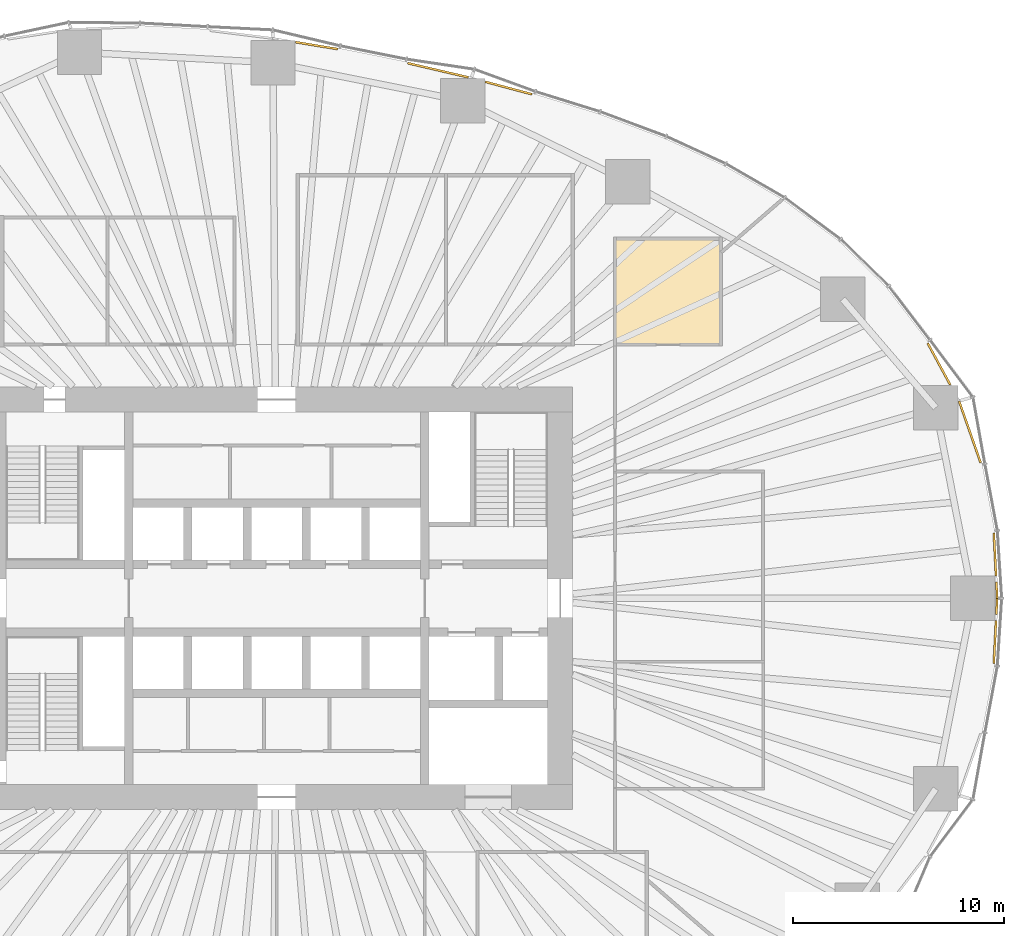
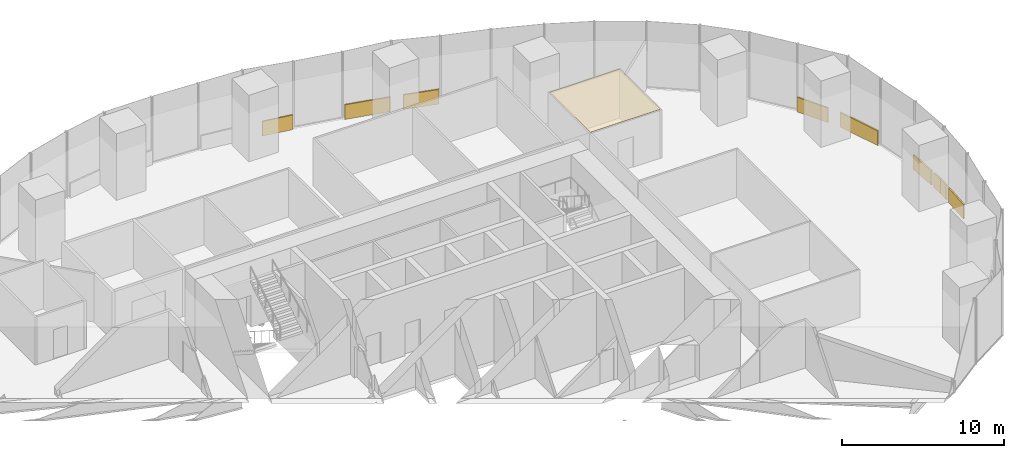
# One storey, part 20 of 20: 10 coverings.
"""IFC4 building model written with IfcOpenShell, lengths in metres."""

import ifcopenshell
import ifcopenshell.guid

model = None  # the IFC model being written
_history = None  # IfcOwnerHistory: only IFC2X3 demands one
_inside = {}  # id of a spatial element -> (the spatial element, [elements in it])
_under = {}  # id of a project, library or spatial element -> (it, [spatial elements below it])
_declared = {}  # id of a project -> (the project, [libraries it declares])
_typed = {}  # id of a type object -> (the type object, [elements of that type])
_made_of = {}  # id of a material, layer set ... -> (it, [elements and type objects made of it])


def new_model(schema):
    """Start an empty IFC model of exactly this schema.

    Asked for "IFC4X3", IfcOpenShell would pick the latest addendum, in which some entities
    have other attributes; the version numbers below select the first issue.
    IFC2X3 requires an IfcOwnerHistory on every rooted entity: one is made here for all.
    """
    global model, _history
    if schema == "IFC4X3":
        model = ifcopenshell.file(schema_version=(4, 3, 0, 0))
    else:
        model = ifcopenshell.file(schema=schema)
    _inside.clear()
    _under.clear()
    _declared.clear()
    _typed.clear()
    _made_of.clear()
    _history = None
    if model.schema == "IFC2X3":
        org = make("IfcOrganization", Name="unknown")
        user = make(
            "IfcPersonAndOrganization",
            ThePerson=make("IfcPerson", FamilyName="unknown"),
            TheOrganization=org,
        )
        app = make(
            "IfcApplication",
            ApplicationDeveloper=org,
            Version="unknown",
            ApplicationFullName="unknown",
            ApplicationIdentifier="unknown",
        )
        _history = make(
            "IfcOwnerHistory",
            OwningUser=user,
            OwningApplication=app,
            ChangeAction="ADDED",
            CreationDate=0,
        )
    return model


def make(cls, **values):
    """One entity of the class cls with the attributes given. An attribute that is None is left unset."""
    return model.create_entity(
        cls, **{name: value for name, value in values.items() if value is not None}
    )


def rooted(cls, **values):
    """An entity with a GlobalId (a new one), such as an element, a storey or a relation."""
    return make(cls, GlobalId=ifcopenshell.guid.new(), OwnerHistory=_history, **values)


def si_unit(unit_type, name, prefix=None):
    """IfcSIUnit, for example si_unit("LENGTHUNIT", "METRE", prefix="MILLI")."""
    return make("IfcSIUnit", UnitType=unit_type, Prefix=prefix, Name=name)


def assignment(units):
    """IfcUnitAssignment: the units of a project."""
    return None if units is None else make("IfcUnitAssignment", Units=units)


def point(xyz):
    """IfcCartesianPoint."""
    return None if xyz is None else make("IfcCartesianPoint", Coordinates=xyz)


def direction(xyz):
    """IfcDirection."""
    return None if xyz is None else make("IfcDirection", DirectionRatios=xyz)


def frame(location, z_axis=None, x_axis=None):
    """IfcAxis2Placement3D, a coordinate frame: its origin and axes. An axis left out is left unset."""
    return make(
        "IfcAxis2Placement3D",
        Location=point(location),
        Axis=direction(z_axis),
        RefDirection=direction(x_axis),
    )


def frame_2d(location, x_axis=None):
    """IfcAxis2Placement2D, a coordinate frame in the plane: its origin and x axis."""
    return make(
        "IfcAxis2Placement2D", Location=point(location), RefDirection=direction(x_axis)
    )


def origin():
    """The frame at (0, 0, 0) with its axes left unset."""
    return frame((0.0, 0.0, 0.0))


def origin_2d():
    """The frame at (0, 0) in the plane with its x axis left unset."""
    return frame_2d((0.0, 0.0))


def place(relative_to, where):
    """IfcLocalPlacement: puts the frame where relative to a parent placement (None: the world)."""
    return make(
        "IfcLocalPlacement", PlacementRelTo=relative_to, RelativePlacement=where
    )


def context(
    kind, dimensions, precision=None, world=None, true_north=None, identifier=None
):
    """IfcGeometricRepresentationContext, for example the 3D "Model" context."""
    return make(
        "IfcGeometricRepresentationContext",
        ContextIdentifier=identifier,
        ContextType=kind,
        CoordinateSpaceDimension=dimensions,
        Precision=precision,
        WorldCoordinateSystem=world,
        TrueNorth=true_north,
    )


def subcontext(parent, identifier, kind, view, scale=None):
    """IfcGeometricRepresentationSubContext, for example "Body" below "Model"."""
    return make(
        "IfcGeometricRepresentationSubContext",
        ContextIdentifier=identifier,
        ContextType=kind,
        ParentContext=parent,
        TargetScale=scale,
        TargetView=view,
    )


def project(units=None, contexts=None):
    """IfcProject with its units and contexts."""
    return rooted(
        "IfcProject",
        Name="project",
        RepresentationContexts=contexts,
        UnitsInContext=assignment(units),
    )


def spatial(cls, under=None, at=None, **own):
    """A site, building, storey or space (cls), placed at a placement, below another one or the project."""
    s = rooted(cls, ObjectPlacement=at, **own)
    if under is not None:
        _under.setdefault(under.id(), (under, []))[1].append(s)
    return s


def polyline(points):
    """IfcPolyline through the points."""
    return make("IfcPolyline", Points=[point(p) for p in points])


def profile(cls, at=None, kind="AREA", **sizes):
    """A parametric profile (cls). Its sizes go by their IFC names, for example OverallWidth=200.0."""
    return make(cls, ProfileType=kind, Position=at, **sizes)


def rectangle(**sizes):
    """IfcRectangleProfileDef."""
    return profile("IfcRectangleProfileDef", **sizes)


def outline(outer, holes=None, kind="AREA"):
    """IfcArbitraryClosedProfileDef: a profile drawn as a closed curve; with holes, ...WithVoids."""
    if holes is None:
        return make("IfcArbitraryClosedProfileDef", ProfileType=kind, OuterCurve=outer)
    return make(
        "IfcArbitraryProfileDefWithVoids",
        ProfileType=kind,
        OuterCurve=outer,
        InnerCurves=holes,
    )


def extrude(swept, where, along, depth):
    """IfcExtrudedAreaSolid: the profile swept, set in the frame where, extruded along a direction by depth."""
    return make(
        "IfcExtrudedAreaSolid",
        SweptArea=swept,
        Position=where,
        ExtrudedDirection=direction(along),
        Depth=depth,
    )


def shape(context_of_items, identifier, shape_type, items):
    """IfcShapeRepresentation: the items that make up one representation, for example the "Body"."""
    return make(
        "IfcShapeRepresentation",
        ContextOfItems=context_of_items,
        RepresentationIdentifier=identifier,
        RepresentationType=shape_type,
        Items=items,
    )


def material(Name=None, Category=None):
    """IfcMaterial."""
    return make("IfcMaterial", Name=Name, Category=Category)


def layer(
    of_material, thickness, ventilated=None, Name=None, Category=None, Priority=None
):
    """IfcMaterialLayer: one layer of a wall or slab, of a material (None: an air gap)."""
    return make(
        "IfcMaterialLayer",
        Material=of_material,
        LayerThickness=thickness,
        IsVentilated=ventilated,
        Name=Name,
        Category=Category,
        Priority=Priority,
    )


def layer_set(layers, Name=None):
    """IfcMaterialLayerSet."""
    return make("IfcMaterialLayerSet", MaterialLayers=layers, LayerSetName=Name)


def made_of(thing, what):
    """Note that an element or type object is made of a material, layer set ...; save() writes the relation."""
    if what is not None:
        _made_of.setdefault(what.id(), (what, []))[1].append(thing)
    return thing


def type_object(cls, material=None, **own):
    """A type object (cls), such as IfcWallType, which elements share."""
    return made_of(rooted(cls, **own), material)


def element(
    cls,
    number,
    at=None,
    inside=None,
    cuts=None,
    type_object=None,
    material=None,
    context=None,
    identifier="Body",
    shape_type=None,
    held_by="IfcProductDefinitionShape",
    body=None,
    shapes=None,
    **own,
):
    """One element of the class cls, such as IfcWall. Its Tag is "e" and its number.

    at: its placement. inside: the storey or other place that contains it. cuts: it is an
    opening in that element (IfcRelVoidsElement). A single representation is given by context,
    identifier, shape_type and body (its items); several are given by shapes. held_by: the class
    of the entity that holds the representations. save() writes the other relations.
    """
    e = rooted(cls, Tag="e%d" % number, ObjectPlacement=at, **own)
    if body is not None:
        shapes = [shape(context, identifier, shape_type, body)]
    if shapes is not None:
        e.Representation = make(held_by, Representations=shapes)
    if inside is not None:
        _inside.setdefault(inside.id(), (inside, []))[1].append(e)
    if cuts is not None:
        rooted(
            "IfcRelVoidsElement", RelatingBuildingElement=cuts, RelatedOpeningElement=e
        )
    if type_object is not None:
        _typed.setdefault(type_object.id(), (type_object, []))[1].append(e)
    return made_of(e, material)


def aggregate(whole, parts):
    """IfcRelAggregates: a whole, such as a stair, and the parts it consists of."""
    return rooted("IfcRelAggregates", RelatingObject=whole, RelatedObjects=parts)


def save(model, path):
    """Write the relations noted so far, then the file.

    IfcRelAggregates (storeys below a building ...), IfcRelContainedInSpatialStructure (elements
    in a storey), IfcRelDefinesByType, IfcRelAssociatesMaterial and IfcRelDeclares: one each for
    every whole, place, type object, material and project.
    """
    for whole, parts in _under.values():
        aggregate(whole, parts)
    for where, things in _inside.values():
        rooted(
            "IfcRelContainedInSpatialStructure",
            RelatedElements=things,
            RelatingStructure=where,
        )
    for kind, things in _typed.values():
        rooted("IfcRelDefinesByType", RelatedObjects=things, RelatingType=kind)
    for what, things in _made_of.values():
        rooted("IfcRelAssociatesMaterial", RelatedObjects=things, RelatingMaterial=what)
    for by, libraries in _declared.values():
        rooted("IfcRelDeclares", RelatingContext=by, RelatedDefinitions=libraries)
    model.write(path)


model = new_model("IFC4")

# Units and contexts
model_context = context("Model", 3, precision=1e-05, world=origin(), true_north=direction((0.0, 1.0)))
body_context = subcontext(model_context, "Body", "Model", "MODEL_VIEW")
ifc_project = project(units=[si_unit("LENGTHUNIT", "METRE"), si_unit("AREAUNIT", "SQUARE_METRE"), si_unit("VOLUMEUNIT", "CUBIC_METRE"), si_unit("PLANEANGLEUNIT", "RADIAN"), si_unit("MASSUNIT", "GRAM", prefix="KILO")], contexts=[model_context])

# Site, building, storey
site_placement = place(None, origin())
site = spatial("IfcSite", under=ifc_project, at=site_placement, CompositionType="ELEMENT")
building_placement = place(site_placement, origin())
building = spatial("IfcBuilding", under=site, at=building_placement, Name="Ghaith Harvest Tower", CompositionType="ELEMENT")
storey_placement = place(building_placement, frame((0.0, 0.0, 45.0)))
storey = spatial("IfcBuildingStorey", under=building, at=storey_placement, Name="L09", CompositionType="ELEMENT", Elevation=45.0)

# Coverings
ifc_material_1 = material(Name="Mineral fibre ceiling tile", Category="gypsum")
ifc_layer_1 = layer(ifc_material_1, 0.02490234375)
ifc_layer_set_1 = layer_set([ifc_layer_1], Name="CEILING C2")
covering_type_1 = type_object("IfcCoveringType", Name="CEILING C2", PredefinedType="CEILING", material=ifc_layer_set_1)
covering_1_placement = place(storey_placement, frame((0.0, 0.0, 3.60009765625)))
element("IfcCovering", 1, at=covering_1_placement, inside=storey, type_object=covering_type_1, Name="Ceiling L09-16", PredefinedType="CEILING", context=body_context, shape_type="SweptSolid", body=[
    extrude(outline(polyline([(16.0, 12.0), (21.0, 12.0), (21.0, 17.0), (16.0, 17.0), (16.0, 12.0)])), origin(), (0.0, 0.0, 1.0), 0.02490234375),
])
ifc_material_2 = material(Name="Insulated aluminium spandrel panel on steel framing", Category="steel")
ifc_layer_2 = layer(ifc_material_2, 0.10009765625)
ifc_layer_set_2 = layer_set([ifc_layer_2], Name="SLAB EDGE UPSTAND 1100x100")
covering_type_2 = type_object("IfcCoveringType", Name="SLAB EDGE UPSTAND 1100x100", PredefinedType="CLADDING", material=ifc_layer_set_2)
covering_2_placement = place(storey_placement, frame((34.054931640625, 0.38232421875, 0.0), z_axis=(0.0, 0.0, 1.0), x_axis=(-0.052048501689, 0.998644558125, 0.0)))
element("IfcCovering", 2, at=covering_2_placement, inside=storey, type_object=covering_type_2, Name="Slab edge upstand 1 bay 01 L09", PredefinedType="CLADDING", context=body_context, shape_type="SweptSolid", body=[
    extrude(rectangle(XDim=0.77099609375, YDim=0.10009765625, at=origin_2d()), origin(), (0.0, 0.0, 1.0), 1.10009765625),
])
covering_3_placement = place(storey_placement, frame((33.966796875, 2.0771484375, 0.0), z_axis=(0.0, 0.0, 1.0), x_axis=(-0.052048501689, 0.998644558125, 0.0)))
element("IfcCovering", 3, at=covering_3_placement, inside=storey, type_object=covering_type_2, Name="Slab edge upstand 1 bay 01 L09", PredefinedType="CLADDING", context=body_context, shape_type="SweptSolid", body=[
    extrude(rectangle(XDim=2.03173828125, YDim=0.10009765625, at=origin_2d()), origin(), (0.0, 0.0, 1.0), 1.10009765625),
])
covering_4_placement = place(storey_placement, frame((32.7822265625, 7.865234375, 0.0), z_axis=(0.0, 0.0, 1.0), x_axis=(-0.330597697022, 0.943771774702, 0.0)))
element("IfcCovering", 4, at=covering_4_placement, inside=storey, type_object=covering_type_2, Name="Slab edge upstand 3 bay 01 L09", PredefinedType="CLADDING", context=body_context, shape_type="SweptSolid", body=[
    extrude(rectangle(XDim=3.080078125, YDim=0.10009765625, at=origin_2d()), origin(), (0.0, 0.0, 1.0), 1.10009765625),
])
covering_5_placement = place(storey_placement, frame((31.32177734375, 11.075439453125, 0.0), z_axis=(0.0, 0.0, 1.0), x_axis=(-0.476349292539, 0.87925613532, 0.0)))
element("IfcCovering", 5, at=covering_5_placement, inside=storey, type_object=covering_type_2, Name="Slab edge upstand 1 bay 02 L09", PredefinedType="CLADDING", context=body_context, shape_type="SweptSolid", body=[
    extrude(rectangle(XDim=2.237548828125, YDim=0.10009765625, at=origin_2d()), origin(), (0.0, 0.0, 1.0), 1.10009765625),
])
covering_6_placement = place(storey_placement, frame((10.968994140625, 24.1298828125, 0.0), z_axis=(0.0, 0.0, 1.0), x_axis=(-0.9660243418, 0.258451099919, 0.0)))
element("IfcCovering", 6, at=covering_6_placement, inside=storey, type_object=covering_type_2, Name="Slab edge upstand 3 bay 04 L09", PredefinedType="CLADDING", context=body_context, shape_type="SweptSolid", body=[
    extrude(rectangle(XDim=2.27978515625, YDim=0.10009765625, at=origin_2d()), origin(), (0.0, 0.0, 1.0), 1.10009765625),
])
covering_7_placement = place(storey_placement, frame((7.627685546875, 24.971435546875, 0.0), z_axis=(0.0, 0.0, 1.0), x_axis=(-0.973634089594, 0.228115452305, 0.0)))
element("IfcCovering", 7, at=covering_7_placement, inside=storey, type_object=covering_type_2, Name="Slab edge upstand 1 bay 05 L09", PredefinedType="CLADDING", context=body_context, shape_type="SweptSolid", body=[
    extrude(rectangle(XDim=2.943359375, YDim=0.10009765625, at=origin_2d()), origin(), (0.0, 0.0, 1.0), 1.10009765625),
])
covering_8_placement = place(storey_placement, frame((1.891845703125, 26.135009765625, 0.0), z_axis=(0.0, 0.0, 1.0), x_axis=(-0.986716247541, 0.162453214305, 0.0)))
element("IfcCovering", 8, at=covering_8_placement, inside=storey, type_object=covering_type_2, Name="Slab edge upstand 3 bay 05 L09", PredefinedType="CLADDING", context=body_context, shape_type="SweptSolid", body=[
    extrude(rectangle(XDim=2.0205078125, YDim=0.10009765625, at=origin_2d()), origin(), (0.0, 0.0, 1.0), 1.10009765625),
])
covering_9_placement = place(storey_placement, frame((33.966796875, -2.0771484375, 0.0), z_axis=(0.0, 0.0, 1.0), x_axis=(0.052048501794, 0.998644558119, 0.0)))
element("IfcCovering", 9, at=covering_9_placement, inside=storey, type_object=covering_type_2, Name="Slab edge upstand 3 bay 20 L09", PredefinedType="CLADDING", context=body_context, shape_type="SweptSolid", body=[
    extrude(rectangle(XDim=2.03173828125, YDim=0.10009765625, at=origin_2d()), origin(), (0.0, 0.0, 1.0), 1.10009765625),
])
covering_10_placement = place(storey_placement, frame((34.054931640625, -0.38232421875, 0.0), z_axis=(0.0, 0.0, 1.0), x_axis=(0.052048501794, 0.998644558119, 0.0)))
element("IfcCovering", 10, at=covering_10_placement, inside=storey, type_object=covering_type_2, Name="Slab edge upstand 3 bay 20 L09", PredefinedType="CLADDING", context=body_context, shape_type="SweptSolid", body=[
    extrude(rectangle(XDim=0.77099609375, YDim=0.10009765625, at=origin_2d()), origin(), (0.0, 0.0, 1.0), 1.10009765625),
])

save(model, "model.ifc")
